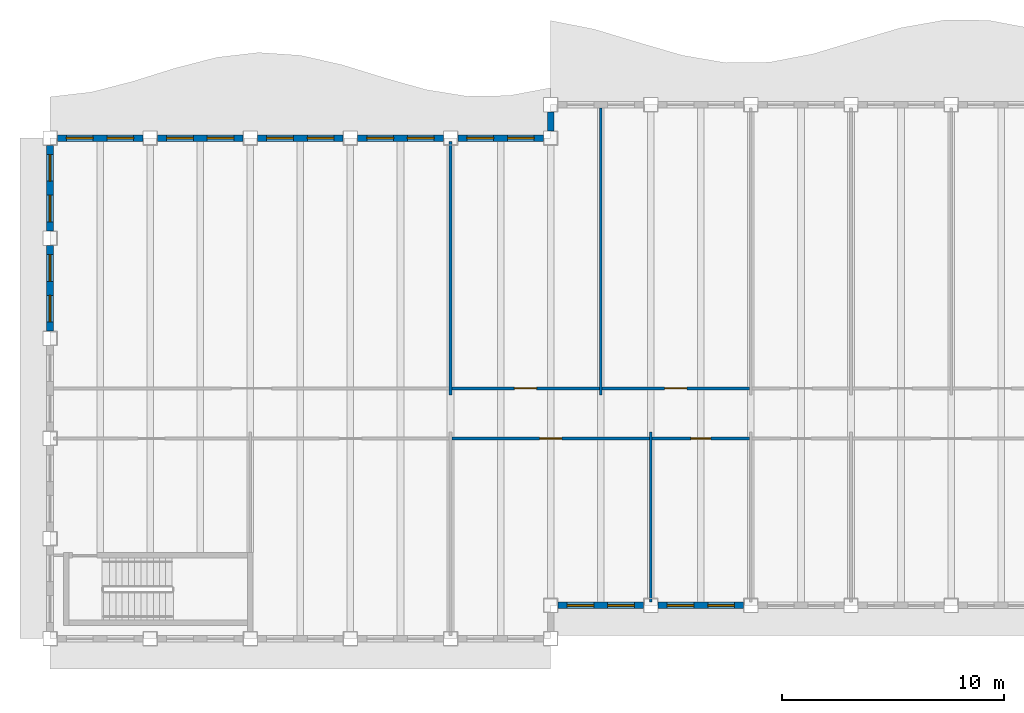
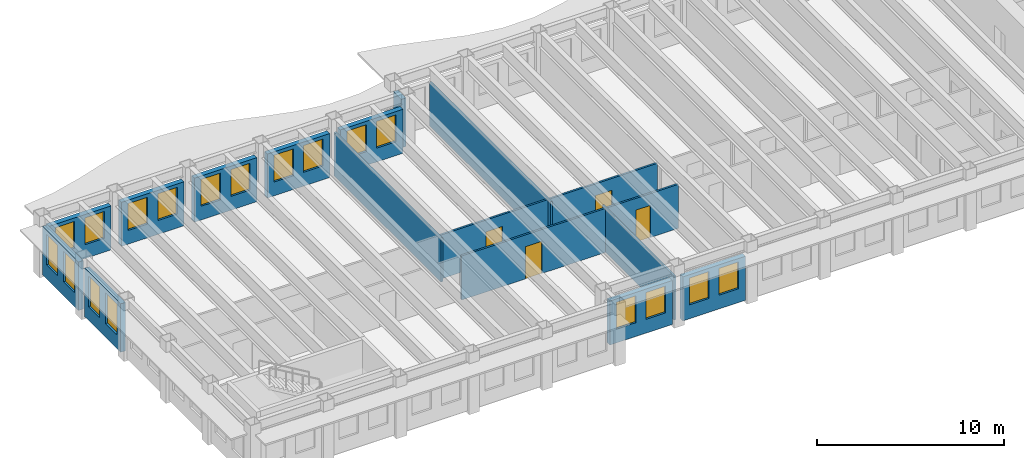
# One storey, part 3 of 12: 18 windows, 17 walls, 4 doors, 22 openings.
"""IFC4 building model written with IfcOpenShell, lengths in metres."""

import ifcopenshell
import ifcopenshell.guid

model = None  # the IFC model being written
_history = None  # IfcOwnerHistory: only IFC2X3 demands one
_inside = {}  # id of a spatial element -> (the spatial element, [elements in it])
_under = {}  # id of a project, library or spatial element -> (it, [spatial elements below it])
_declared = {}  # id of a project -> (the project, [libraries it declares])
_typed = {}  # id of a type object -> (the type object, [elements of that type])
_made_of = {}  # id of a material, layer set ... -> (it, [elements and type objects made of it])


def new_model(schema):
    """Start an empty IFC model of exactly this schema.

    Asked for "IFC4X3", IfcOpenShell would pick the latest addendum, in which some entities
    have other attributes; the version numbers below select the first issue.
    IFC2X3 requires an IfcOwnerHistory on every rooted entity: one is made here for all.
    """
    global model, _history
    if schema == "IFC4X3":
        model = ifcopenshell.file(schema_version=(4, 3, 0, 0))
    else:
        model = ifcopenshell.file(schema=schema)
    _inside.clear()
    _under.clear()
    _declared.clear()
    _typed.clear()
    _made_of.clear()
    _history = None
    if model.schema == "IFC2X3":
        org = make("IfcOrganization", Name="unknown")
        user = make(
            "IfcPersonAndOrganization",
            ThePerson=make("IfcPerson", FamilyName="unknown"),
            TheOrganization=org,
        )
        app = make(
            "IfcApplication",
            ApplicationDeveloper=org,
            Version="unknown",
            ApplicationFullName="unknown",
            ApplicationIdentifier="unknown",
        )
        _history = make(
            "IfcOwnerHistory",
            OwningUser=user,
            OwningApplication=app,
            ChangeAction="ADDED",
            CreationDate=0,
        )
    return model


def make(cls, **values):
    """One entity of the class cls with the attributes given. An attribute that is None is left unset."""
    return model.create_entity(
        cls, **{name: value for name, value in values.items() if value is not None}
    )


def rooted(cls, **values):
    """An entity with a GlobalId (a new one), such as an element, a storey or a relation."""
    return make(cls, GlobalId=ifcopenshell.guid.new(), OwnerHistory=_history, **values)


def si_unit(unit_type, name, prefix=None):
    """IfcSIUnit, for example si_unit("LENGTHUNIT", "METRE", prefix="MILLI")."""
    return make("IfcSIUnit", UnitType=unit_type, Prefix=prefix, Name=name)


def assignment(units):
    """IfcUnitAssignment: the units of a project."""
    return None if units is None else make("IfcUnitAssignment", Units=units)


def point(xyz):
    """IfcCartesianPoint."""
    return None if xyz is None else make("IfcCartesianPoint", Coordinates=xyz)


def direction(xyz):
    """IfcDirection."""
    return None if xyz is None else make("IfcDirection", DirectionRatios=xyz)


def frame(location, z_axis=None, x_axis=None):
    """IfcAxis2Placement3D, a coordinate frame: its origin and axes. An axis left out is left unset."""
    return make(
        "IfcAxis2Placement3D",
        Location=point(location),
        Axis=direction(z_axis),
        RefDirection=direction(x_axis),
    )


def frame_2d(location, x_axis=None):
    """IfcAxis2Placement2D, a coordinate frame in the plane: its origin and x axis."""
    return make(
        "IfcAxis2Placement2D", Location=point(location), RefDirection=direction(x_axis)
    )


def origin():
    """The frame at (0, 0, 0) with its axes left unset."""
    return frame((0.0, 0.0, 0.0))


def place(relative_to, where):
    """IfcLocalPlacement: puts the frame where relative to a parent placement (None: the world)."""
    return make(
        "IfcLocalPlacement", PlacementRelTo=relative_to, RelativePlacement=where
    )


def context(
    kind, dimensions, precision=None, world=None, true_north=None, identifier=None
):
    """IfcGeometricRepresentationContext, for example the 3D "Model" context."""
    return make(
        "IfcGeometricRepresentationContext",
        ContextIdentifier=identifier,
        ContextType=kind,
        CoordinateSpaceDimension=dimensions,
        Precision=precision,
        WorldCoordinateSystem=world,
        TrueNorth=true_north,
    )


def subcontext(parent, identifier, kind, view, scale=None):
    """IfcGeometricRepresentationSubContext, for example "Body" below "Model"."""
    return make(
        "IfcGeometricRepresentationSubContext",
        ContextIdentifier=identifier,
        ContextType=kind,
        ParentContext=parent,
        TargetScale=scale,
        TargetView=view,
    )


def project(units=None, contexts=None):
    """IfcProject with its units and contexts."""
    return rooted(
        "IfcProject",
        Name="project",
        RepresentationContexts=contexts,
        UnitsInContext=assignment(units),
    )


def spatial(cls, under=None, at=None, **own):
    """A site, building, storey or space (cls), placed at a placement, below another one or the project."""
    s = rooted(cls, ObjectPlacement=at, **own)
    if under is not None:
        _under.setdefault(under.id(), (under, []))[1].append(s)
    return s


def profile(cls, at=None, kind="AREA", **sizes):
    """A parametric profile (cls). Its sizes go by their IFC names, for example OverallWidth=200.0."""
    return make(cls, ProfileType=kind, Position=at, **sizes)


def rectangle(**sizes):
    """IfcRectangleProfileDef."""
    return profile("IfcRectangleProfileDef", **sizes)


def extrude(swept, where, along, depth):
    """IfcExtrudedAreaSolid: the profile swept, set in the frame where, extruded along a direction by depth."""
    return make(
        "IfcExtrudedAreaSolid",
        SweptArea=swept,
        Position=where,
        ExtrudedDirection=direction(along),
        Depth=depth,
    )


def shape(context_of_items, identifier, shape_type, items):
    """IfcShapeRepresentation: the items that make up one representation, for example the "Body"."""
    return make(
        "IfcShapeRepresentation",
        ContextOfItems=context_of_items,
        RepresentationIdentifier=identifier,
        RepresentationType=shape_type,
        Items=items,
    )


def material(Name=None, Category=None):
    """IfcMaterial."""
    return make("IfcMaterial", Name=Name, Category=Category)


def layer(
    of_material, thickness, ventilated=None, Name=None, Category=None, Priority=None
):
    """IfcMaterialLayer: one layer of a wall or slab, of a material (None: an air gap)."""
    return make(
        "IfcMaterialLayer",
        Material=of_material,
        LayerThickness=thickness,
        IsVentilated=ventilated,
        Name=Name,
        Category=Category,
        Priority=Priority,
    )


def layer_set(layers, Name=None):
    """IfcMaterialLayerSet."""
    return make("IfcMaterialLayerSet", MaterialLayers=layers, LayerSetName=Name)


def made_of(thing, what):
    """Note that an element or type object is made of a material, layer set ...; save() writes the relation."""
    if what is not None:
        _made_of.setdefault(what.id(), (what, []))[1].append(thing)
    return thing


def type_object(cls, material=None, **own):
    """A type object (cls), such as IfcWallType, which elements share."""
    return made_of(rooted(cls, **own), material)


def element(
    cls,
    number,
    at=None,
    inside=None,
    cuts=None,
    type_object=None,
    material=None,
    context=None,
    identifier="Body",
    shape_type=None,
    held_by="IfcProductDefinitionShape",
    body=None,
    shapes=None,
    **own,
):
    """One element of the class cls, such as IfcWall. Its Tag is "e" and its number.

    at: its placement. inside: the storey or other place that contains it. cuts: it is an
    opening in that element (IfcRelVoidsElement). A single representation is given by context,
    identifier, shape_type and body (its items); several are given by shapes. held_by: the class
    of the entity that holds the representations. save() writes the other relations.
    """
    e = rooted(cls, Tag="e%d" % number, ObjectPlacement=at, **own)
    if body is not None:
        shapes = [shape(context, identifier, shape_type, body)]
    if shapes is not None:
        e.Representation = make(held_by, Representations=shapes)
    if inside is not None:
        _inside.setdefault(inside.id(), (inside, []))[1].append(e)
    if cuts is not None:
        rooted(
            "IfcRelVoidsElement", RelatingBuildingElement=cuts, RelatedOpeningElement=e
        )
    if type_object is not None:
        _typed.setdefault(type_object.id(), (type_object, []))[1].append(e)
    return made_of(e, material)


def fill(opening, filler):
    """IfcRelFillsElement: the door or window that sits in an opening."""
    return rooted(
        "IfcRelFillsElement",
        RelatingOpeningElement=opening,
        RelatedBuildingElement=filler,
    )


def aggregate(whole, parts):
    """IfcRelAggregates: a whole, such as a stair, and the parts it consists of."""
    return rooted("IfcRelAggregates", RelatingObject=whole, RelatedObjects=parts)


def save(model, path):
    """Write the relations noted so far, then the file.

    IfcRelAggregates (storeys below a building ...), IfcRelContainedInSpatialStructure (elements
    in a storey), IfcRelDefinesByType, IfcRelAssociatesMaterial and IfcRelDeclares: one each for
    every whole, place, type object, material and project.
    """
    for whole, parts in _under.values():
        aggregate(whole, parts)
    for where, things in _inside.values():
        rooted(
            "IfcRelContainedInSpatialStructure",
            RelatedElements=things,
            RelatingStructure=where,
        )
    for kind, things in _typed.values():
        rooted("IfcRelDefinesByType", RelatedObjects=things, RelatingType=kind)
    for what, things in _made_of.values():
        rooted("IfcRelAssociatesMaterial", RelatedObjects=things, RelatingMaterial=what)
    for by, libraries in _declared.values():
        rooted("IfcRelDeclares", RelatingContext=by, RelatedDefinitions=libraries)
    model.write(path)


model = new_model("IFC4")

# Units and contexts
model_context = context("Model", 3, precision=1e-05, world=origin(), true_north=direction((0.0, 1.0)))
body_context = subcontext(model_context, "Body", "Model", "MODEL_VIEW")
ifc_project = project(units=[si_unit("LENGTHUNIT", "METRE"), si_unit("AREAUNIT", "SQUARE_METRE"), si_unit("VOLUMEUNIT", "CUBIC_METRE"), si_unit("PLANEANGLEUNIT", "RADIAN"), si_unit("MASSUNIT", "GRAM", prefix="KILO")], contexts=[model_context])

# Site, building, storey
site_placement = place(None, origin())
site = spatial("IfcSite", under=ifc_project, at=site_placement, CompositionType="ELEMENT")
building_placement = place(site_placement, origin())
building = spatial("IfcBuilding", under=site, at=building_placement, Name="Sennacour Bend Tower", CompositionType="ELEMENT")
storey_placement = place(building_placement, frame((0.0, 0.0, 253.0)))
storey = spatial("IfcBuildingStorey", under=building, at=storey_placement, Name="L58", CompositionType="ELEMENT", Elevation=253.0)

# Walls
ifc_material_1 = material(Name="Plasterboard partition on steel studs", Category="steel")
ifc_layer_1 = layer(ifc_material_1, 0.1201171875, Name="Plasterboard partition on steel studs", Category="steel")
ifc_layer_set_1 = layer_set([ifc_layer_1], Name="Plasterboard partition on steel studs")
wall_type_1 = type_object("IfcWallType", Name="Partition 120", PredefinedType="PARTITIONING", material=ifc_layer_set_1)
wall_1_placement = place(storey_placement, frame((18.0, 10.949951171875, 0.0), z_axis=(0.0, 0.0, 1.0), x_axis=(0.0, 1.0, 0.0)))
element("IfcWall", 1, at=wall_1_placement, inside=storey, type_object=wall_type_1, Name="P-L58-W007a", PredefinedType="PARTITIONING", context=body_context, shape_type="SweptSolid", body=[
    extrude(rectangle(XDim=11.400146484375, YDim=0.1201171875, at=frame_2d((5.7001953125, 0.0))), origin(), (0.0, 0.0, 1.0), 2.8701171875),
])
wall_2_placement = place(storey_placement, frame((24.75, 10.949951171875, 0.0), z_axis=(0.0, 0.0, 1.0), x_axis=(0.0, 1.0, 0.0)))
element("IfcWall", 2, at=wall_2_placement, inside=storey, type_object=wall_type_1, Name="P-L58-W008a", PredefinedType="PARTITIONING", context=body_context, shape_type="SweptSolid", body=[
    extrude(rectangle(XDim=12.900146484375, YDim=0.1201171875, at=frame_2d((6.4501953125, 0.0))), origin(), (0.0, 0.0, 1.0), 2.8701171875),
])
wall_3_placement = place(storey_placement, frame((27.0, 1.64990234375, 0.0), z_axis=(0.0, 0.0, 1.0), x_axis=(0.0, 1.0, 0.0)))
element("IfcWall", 3, at=wall_3_placement, inside=storey, type_object=wall_type_1, Name="P-L58-W009a", PredefinedType="PARTITIONING", context=body_context, shape_type="SweptSolid", body=[
    extrude(rectangle(XDim=7.650146484375, YDim=0.1201171875, at=frame_2d((3.8251953125, 0.0))), origin(), (0.0, 0.0, 1.0), 2.8701171875),
])

# Wall, opening, door
wall_4_placement = place(storey_placement, frame((18.06005859375, 9.0, 0.0), z_axis=(0.0, 0.0, 1.0), x_axis=(1.0, 0.0, 0.0)))
wall_4 = element("IfcWall", 4, at=wall_4_placement, inside=storey, type_object=wall_type_1, Name="P-L58-W043ac", PredefinedType="PARTITIONING", context=body_context, shape_type="SweptSolid", body=[
    extrude(rectangle(XDim=8.8798828125, YDim=0.1201171875, at=frame_2d((4.43994140625, 0.0))), origin(), (0.0, 0.0, 1.0), 2.8701171875),
])
opening_1_placement = place(wall_4_placement, frame((3.93994140625, 0.0, 0.0)))
opening_1 = element("IfcOpeningElement", 5, at=opening_1_placement, cuts=wall_4, Name="Opening OD2", PredefinedType="OPENING", context=body_context, shape_type="SweptSolid", body=[
    extrude(rectangle(XDim=1.0, YDim=2.10009765625, at=frame_2d((0.5, 1.050048828125))), frame((0.0, 0.070068359375, 0.0), z_axis=(0.0, -1.0, 0.0), x_axis=(1.0, 0.0, 0.0)), (0.0, 0.0, 1.0), 0.14013671875),
])
ifc_material_2 = material(Name="Timber", Category="wood")
door_type_1 = type_object("IfcDoorType", Name="DR-OFFICE-1000", OperationType="NOTDEFINED", PredefinedType="DOOR", material=ifc_material_2)
door_1_placement = place(opening_1_placement, origin())
door_1 = element("IfcDoor", 6, at=door_1_placement, inside=storey, type_object=door_type_1, Name="Door", OperationType="SINGLE_SWING_LEFT", OverallHeight=2.10009765625, OverallWidth=1.0, PredefinedType="DOOR", context=body_context, shape_type="SweptSolid", body=[
    extrude(rectangle(XDim=1.0, YDim=2.10009765625, at=frame_2d((0.5, 1.050048828125))), frame((0.0, 0.02490234375, 0.0), z_axis=(0.0, -1.0, 0.0), x_axis=(1.0, 0.0, 0.0)), (0.0, 0.0, 1.0), 0.050048828125),
])
fill(opening_1, door_1)

wall_5_placement = place(storey_placement, frame((18.06005859375, 11.25, 0.0), z_axis=(0.0, 0.0, 1.0), x_axis=(1.0, 0.0, 0.0)))
wall_5 = element("IfcWall", 7, at=wall_5_placement, inside=storey, type_object=wall_type_1, Name="P-L58-W046ab", PredefinedType="PARTITIONING", context=body_context, shape_type="SweptSolid", body=[
    extrude(rectangle(XDim=6.6298828125, YDim=0.1201171875, at=frame_2d((3.31494140625, 0.0))), origin(), (0.0, 0.0, 1.0), 2.8701171875),
])
opening_2_placement = place(wall_5_placement, frame((2.81494140625, 0.0, 0.0)))
opening_2 = element("IfcOpeningElement", 8, at=opening_2_placement, cuts=wall_5, Name="Opening OD2", PredefinedType="OPENING", context=body_context, shape_type="SweptSolid", body=[
    extrude(rectangle(XDim=1.0, YDim=2.10009765625, at=frame_2d((0.5, 1.050048828125))), frame((0.0, 0.070068359375, 0.0), z_axis=(0.0, -1.0, 0.0), x_axis=(1.0, 0.0, 0.0)), (0.0, 0.0, 1.0), 0.14013671875),
])
door_2_placement = place(opening_2_placement, origin())
door_2 = element("IfcDoor", 9, at=door_2_placement, inside=storey, type_object=door_type_1, Name="Door", OperationType="SINGLE_SWING_LEFT", OverallHeight=2.10009765625, OverallWidth=1.0, PredefinedType="DOOR", context=body_context, shape_type="SweptSolid", body=[
    extrude(rectangle(XDim=1.0, YDim=2.10009765625, at=frame_2d((0.5, 1.050048828125))), frame((0.0, 0.02490234375, 0.0), z_axis=(0.0, -1.0, 0.0), x_axis=(1.0, 0.0, 0.0)), (0.0, 0.0, 1.0), 0.050048828125),
])
fill(opening_2, door_2)

wall_6_placement = place(storey_placement, frame((24.81005859375, 11.25, 0.0), z_axis=(0.0, 0.0, 1.0), x_axis=(1.0, 0.0, 0.0)))
wall_6 = element("IfcWall", 10, at=wall_6_placement, inside=storey, type_object=wall_type_1, Name="P-L58-W046ac", PredefinedType="PARTITIONING", context=body_context, shape_type="SweptSolid", body=[
    extrude(rectangle(XDim=6.6298828125, YDim=0.1201171875, at=frame_2d((3.31494140625, 0.0))), origin(), (0.0, 0.0, 1.0), 2.8701171875),
])
opening_3_placement = place(wall_6_placement, frame((2.81494140625, 0.0, 0.0)))
opening_3 = element("IfcOpeningElement", 11, at=opening_3_placement, cuts=wall_6, Name="Opening OD2", PredefinedType="OPENING", context=body_context, shape_type="SweptSolid", body=[
    extrude(rectangle(XDim=1.0, YDim=2.10009765625, at=frame_2d((0.5, 1.050048828125))), frame((0.0, 0.070068359375, 0.0), z_axis=(0.0, -1.0, 0.0), x_axis=(1.0, 0.0, 0.0)), (0.0, 0.0, 1.0), 0.14013671875),
])
door_3_placement = place(opening_3_placement, origin())
door_3 = element("IfcDoor", 12, at=door_3_placement, inside=storey, type_object=door_type_1, Name="Door", OperationType="SINGLE_SWING_LEFT", OverallHeight=2.10009765625, OverallWidth=1.0, PredefinedType="DOOR", context=body_context, shape_type="SweptSolid", body=[
    extrude(rectangle(XDim=1.0, YDim=2.10009765625, at=frame_2d((0.5, 1.050048828125))), frame((0.0, 0.02490234375, 0.0), z_axis=(0.0, -1.0, 0.0), x_axis=(1.0, 0.0, 0.0)), (0.0, 0.0, 1.0), 0.050048828125),
])
fill(opening_3, door_3)

ifc_layer_2 = layer(ifc_material_1, 0.1201171875, Name="Plasterboard partition on steel studs", Category="steel")
ifc_layer_set_2 = layer_set([ifc_layer_2], Name="Plasterboard partition on steel studs")
wall_type_2 = type_object("IfcWallType", Name="Partition 120 EI 60", PredefinedType="PARTITIONING", material=ifc_layer_set_2)
wall_7_placement = place(storey_placement, frame((27.06005859375, 9.0, 0.0), z_axis=(0.0, 0.0, 1.0), x_axis=(1.0, 0.0, 0.0)))
wall_7 = element("IfcWall", 13, at=wall_7_placement, inside=storey, type_object=wall_type_2, Name="P-L58-W043ad", PredefinedType="PARTITIONING", context=body_context, shape_type="SweptSolid", body=[
    extrude(rectangle(XDim=4.3798828125, YDim=0.1201171875, at=frame_2d((2.18994140625, 0.0))), origin(), (0.0, 0.0, 1.0), 2.8701171875),
])
opening_4_placement = place(wall_7_placement, frame((1.739990234375, 0.0, 0.0)))
opening_4 = element("IfcOpeningElement", 14, at=opening_4_placement, cuts=wall_7, Name="Opening SV", PredefinedType="OPENING", context=body_context, shape_type="SweptSolid", body=[
    extrude(rectangle(XDim=0.89990234375, YDim=2.10009765625, at=frame_2d((0.449951171875, 1.050048828125))), frame((0.0, 0.070068359375, 0.0), z_axis=(0.0, -1.0, 0.0), x_axis=(1.0, 0.0, 0.0)), (0.0, 0.0, 1.0), 0.14013671875),
])
ifc_material_3 = material(Name="Painted steel", Category="steel")
door_type_2 = type_object("IfcDoorType", Name="DR-SERVICE-900", OperationType="NOTDEFINED", PredefinedType="DOOR", material=ifc_material_3)
door_4_placement = place(opening_4_placement, origin())
door_4 = element("IfcDoor", 15, at=door_4_placement, inside=storey, type_object=door_type_2, Name="Door", OperationType="SINGLE_SWING_LEFT", OverallHeight=2.10009765625, OverallWidth=0.89990234375, PredefinedType="DOOR", context=body_context, shape_type="SweptSolid", body=[
    extrude(rectangle(XDim=0.89990234375, YDim=2.10009765625, at=frame_2d((0.449951171875, 1.050048828125))), frame((0.0, 0.02490234375, 0.0), z_axis=(0.0, -1.0, 0.0), x_axis=(1.0, 0.0, 0.0)), (0.0, 0.0, 1.0), 0.050048828125),
])
fill(opening_4, door_4)

# Wall, openings, windows
ifc_material_4 = material(Name="Warm limestone cladding", Category="masonry")
ifc_layer_3 = layer(ifc_material_4, 0.050048828125, Name="Warm limestone cladding", Category="masonry")
ifc_material_5 = material(Name="Precast concrete C40/50", Category="concrete")
ifc_layer_4 = layer(ifc_material_5, 0.25, Name="Precast concrete C40/50", Category="concrete")
ifc_layer_set_3 = layer_set([ifc_layer_3, ifc_layer_4], Name="Precast concrete C40/50 with limestone cladding")
wall_type_3 = type_object("IfcWallType", Name="STONE-CLAD PRECAST SPANDREL 300", PredefinedType="STANDARD", material=ifc_layer_set_3)
wall_8_placement = place(storey_placement, frame((22.824951171875, 1.5, 0.0), z_axis=(0.0, 0.0, 1.0), x_axis=(1.0, 0.0, 0.0)))
wall_8 = element("IfcWall", 16, at=wall_8_placement, inside=storey, type_object=wall_type_3, Name="Stone spandrel and pier wall L58 01.00", PredefinedType="STANDARD", context=body_context, shape_type="SweptSolid", body=[
    extrude(rectangle(XDim=3.85009765625, YDim=0.300048828125, at=frame_2d((1.925048828125, 0.0))), origin(), (0.0, 0.0, 1.0), 2.8701171875),
])
opening_5_placement = place(wall_8_placement, frame((0.41259765625, 0.0, 0.89990234375)))
opening_5 = element("IfcOpeningElement", 17, at=opening_5_placement, cuts=wall_8, Name="Opening W16", PredefinedType="OPENING", context=body_context, shape_type="SweptSolid", body=[
    extrude(rectangle(XDim=1.199951171875, YDim=1.75, at=frame_2d((0.60009765625, 0.875))), frame((0.0, 0.16015625, 0.0), z_axis=(0.0, -1.0, 0.0), x_axis=(1.0, 0.0, 0.0)), (0.0, 0.0, 1.0), 0.320068359375),
])
opening_6_placement = place(wall_8_placement, frame((2.237548828125, 0.0, 0.89990234375)))
opening_6 = element("IfcOpeningElement", 18, at=opening_6_placement, cuts=wall_8, Name="Opening W16", PredefinedType="OPENING", context=body_context, shape_type="SweptSolid", body=[
    extrude(rectangle(XDim=1.199951171875, YDim=1.75, at=frame_2d((0.60009765625, 0.875))), frame((0.0, 0.16015625, 0.0), z_axis=(0.0, -1.0, 0.0), x_axis=(1.0, 0.0, 0.0)), (0.0, 0.0, 1.0), 0.320068359375),
])
ifc_material_6 = material(Name="Clear low-emissivity glass", Category="glass")
window_type_1 = type_object("IfcWindowType", Name="WIN-RIBBON-1200x1750", PartitioningType="SINGLE_PANEL", PredefinedType="WINDOW", material=ifc_material_6)
window_1_placement = place(opening_5_placement, origin())
window_1 = element("IfcWindow", 19, at=window_1_placement, inside=storey, type_object=window_type_1, Name="Ribbon window L58 01.00.0", OverallHeight=1.75, OverallWidth=1.199951171875, PartitioningType="SINGLE_PANEL", PredefinedType="WINDOW", context=body_context, shape_type="SweptSolid", body=[
    extrude(rectangle(XDim=1.199951171875, YDim=1.75, at=frame_2d((0.60009765625, 0.875))), frame((0.0, 0.030029296875, 0.0), z_axis=(0.0, -1.0, 0.0), x_axis=(1.0, 0.0, 0.0)), (0.0, 0.0, 1.0), 0.06005859375),
])
fill(opening_5, window_1)
window_2_placement = place(opening_6_placement, origin())
window_2 = element("IfcWindow", 20, at=window_2_placement, inside=storey, type_object=window_type_1, Name="Ribbon window L58 01.00.1", OverallHeight=1.75, OverallWidth=1.199951171875, PartitioningType="SINGLE_PANEL", PredefinedType="WINDOW", context=body_context, shape_type="SweptSolid", body=[
    extrude(rectangle(XDim=1.199951171875, YDim=1.75, at=frame_2d((0.60009765625, 0.875))), frame((0.0, 0.030029296875, 0.0), z_axis=(0.0, -1.0, 0.0), x_axis=(1.0, 0.0, 0.0)), (0.0, 0.0, 1.0), 0.06005859375),
])
fill(opening_6, window_2)

wall_9_placement = place(storey_placement, frame((27.324951171875, 1.5, 0.0), z_axis=(0.0, 0.0, 1.0), x_axis=(1.0, 0.0, 0.0)))
wall_9 = element("IfcWall", 21, at=wall_9_placement, inside=storey, type_object=wall_type_3, Name="Stone spandrel and pier wall L58 01.01", PredefinedType="STANDARD", context=body_context, shape_type="SweptSolid", body=[
    extrude(rectangle(XDim=3.85009765625, YDim=0.300048828125, at=frame_2d((1.925048828125, 0.0))), origin(), (0.0, 0.0, 1.0), 2.8701171875),
])
opening_7_placement = place(wall_9_placement, frame((0.41259765625, 0.0, 0.89990234375)))
opening_7 = element("IfcOpeningElement", 22, at=opening_7_placement, cuts=wall_9, Name="Opening W16", PredefinedType="OPENING", context=body_context, shape_type="SweptSolid", body=[
    extrude(rectangle(XDim=1.199951171875, YDim=1.75, at=frame_2d((0.60009765625, 0.875))), frame((0.0, 0.16015625, 0.0), z_axis=(0.0, -1.0, 0.0), x_axis=(1.0, 0.0, 0.0)), (0.0, 0.0, 1.0), 0.320068359375),
])
opening_8_placement = place(wall_9_placement, frame((2.237548828125, 0.0, 0.89990234375)))
opening_8 = element("IfcOpeningElement", 23, at=opening_8_placement, cuts=wall_9, Name="Opening W16", PredefinedType="OPENING", context=body_context, shape_type="SweptSolid", body=[
    extrude(rectangle(XDim=1.199951171875, YDim=1.75, at=frame_2d((0.60009765625, 0.875))), frame((0.0, 0.16015625, 0.0), z_axis=(0.0, -1.0, 0.0), x_axis=(1.0, 0.0, 0.0)), (0.0, 0.0, 1.0), 0.320068359375),
])
window_3_placement = place(opening_7_placement, origin())
window_3 = element("IfcWindow", 24, at=window_3_placement, inside=storey, type_object=window_type_1, Name="Ribbon window L58 01.01.0", OverallHeight=1.75, OverallWidth=1.199951171875, PartitioningType="SINGLE_PANEL", PredefinedType="WINDOW", context=body_context, shape_type="SweptSolid", body=[
    extrude(rectangle(XDim=1.199951171875, YDim=1.75, at=frame_2d((0.60009765625, 0.875))), frame((0.0, 0.030029296875, 0.0), z_axis=(0.0, -1.0, 0.0), x_axis=(1.0, 0.0, 0.0)), (0.0, 0.0, 1.0), 0.06005859375),
])
fill(opening_7, window_3)
window_4_placement = place(opening_8_placement, origin())
window_4 = element("IfcWindow", 25, at=window_4_placement, inside=storey, type_object=window_type_1, Name="Ribbon window L58 01.01.1", OverallHeight=1.75, OverallWidth=1.199951171875, PartitioningType="SINGLE_PANEL", PredefinedType="WINDOW", context=body_context, shape_type="SweptSolid", body=[
    extrude(rectangle(XDim=1.199951171875, YDim=1.75, at=frame_2d((0.60009765625, 0.875))), frame((0.0, 0.030029296875, 0.0), z_axis=(0.0, -1.0, 0.0), x_axis=(1.0, 0.0, 0.0)), (0.0, 0.0, 1.0), 0.06005859375),
])
fill(opening_8, window_4)

# Wall
wall_10_placement = place(storey_placement, frame((22.5, 23.675048828125, 0.0), z_axis=(0.0, 0.0, 1.0), x_axis=(0.0, -1.0, 0.0)))
element("IfcWall", 26, at=wall_10_placement, inside=storey, type_object=wall_type_3, Name="Stone spandrel and pier wall L58 08.00", PredefinedType="STANDARD", context=body_context, shape_type="SweptSolid", body=[
    extrude(rectangle(XDim=0.85009765625, YDim=0.300048828125, at=frame_2d((0.425048828125, 0.0))), origin(), (0.0, 0.0, 1.0), 3.162109375),
])

# Wall, openings, windows
wall_11_placement = place(storey_placement, frame((22.175048828125, 22.5, 0.0), z_axis=(0.0, 0.0, 1.0), x_axis=(-1.0, 0.0, 0.0)))
wall_11 = element("IfcWall", 27, at=wall_11_placement, inside=storey, type_object=wall_type_3, Name="Stone spandrel and pier wall L58 09.00", PredefinedType="STANDARD", context=body_context, shape_type="SweptSolid", body=[
    extrude(rectangle(XDim=3.85009765625, YDim=0.300048828125, at=frame_2d((1.925048828125, 0.0))), origin(), (0.0, 0.0, 1.0), 2.8701171875),
])
opening_9_placement = place(wall_11_placement, frame((0.41259765625, 0.0, 0.89990234375)))
opening_9 = element("IfcOpeningElement", 28, at=opening_9_placement, cuts=wall_11, Name="Opening W16", PredefinedType="OPENING", context=body_context, shape_type="SweptSolid", body=[
    extrude(rectangle(XDim=1.199951171875, YDim=1.75, at=frame_2d((0.60009765625, 0.875))), frame((0.0, 0.16015625, 0.0), z_axis=(0.0, -1.0, 0.0), x_axis=(1.0, 0.0, 0.0)), (0.0, 0.0, 1.0), 0.320068359375),
])
opening_10_placement = place(wall_11_placement, frame((2.237548828125, 0.0, 0.89990234375)))
opening_10 = element("IfcOpeningElement", 29, at=opening_10_placement, cuts=wall_11, Name="Opening W16", PredefinedType="OPENING", context=body_context, shape_type="SweptSolid", body=[
    extrude(rectangle(XDim=1.199951171875, YDim=1.75, at=frame_2d((0.60009765625, 0.875))), frame((0.0, 0.16015625, 0.0), z_axis=(0.0, -1.0, 0.0), x_axis=(1.0, 0.0, 0.0)), (0.0, 0.0, 1.0), 0.320068359375),
])
window_5_placement = place(opening_9_placement, origin())
window_5 = element("IfcWindow", 30, at=window_5_placement, inside=storey, type_object=window_type_1, Name="Ribbon window L58 09.00.0", OverallHeight=1.75, OverallWidth=1.199951171875, PartitioningType="SINGLE_PANEL", PredefinedType="WINDOW", context=body_context, shape_type="SweptSolid", body=[
    extrude(rectangle(XDim=1.199951171875, YDim=1.75, at=frame_2d((0.60009765625, 0.875))), frame((0.0, 0.030029296875, 0.0), z_axis=(0.0, -1.0, 0.0), x_axis=(1.0, 0.0, 0.0)), (0.0, 0.0, 1.0), 0.06005859375),
])
fill(opening_9, window_5)
window_6_placement = place(opening_10_placement, origin())
window_6 = element("IfcWindow", 31, at=window_6_placement, inside=storey, type_object=window_type_1, Name="Ribbon window L58 09.00.1", OverallHeight=1.75, OverallWidth=1.199951171875, PartitioningType="SINGLE_PANEL", PredefinedType="WINDOW", context=body_context, shape_type="SweptSolid", body=[
    extrude(rectangle(XDim=1.199951171875, YDim=1.75, at=frame_2d((0.60009765625, 0.875))), frame((0.0, 0.030029296875, 0.0), z_axis=(0.0, -1.0, 0.0), x_axis=(1.0, 0.0, 0.0)), (0.0, 0.0, 1.0), 0.06005859375),
])
fill(opening_10, window_6)

wall_12_placement = place(storey_placement, frame((17.675048828125, 22.5, 0.0), z_axis=(0.0, 0.0, 1.0), x_axis=(-1.0, 0.0, 0.0)))
wall_12 = element("IfcWall", 32, at=wall_12_placement, inside=storey, type_object=wall_type_3, Name="Stone spandrel and pier wall L58 09.01", PredefinedType="STANDARD", context=body_context, shape_type="SweptSolid", body=[
    extrude(rectangle(XDim=3.85009765625, YDim=0.300048828125, at=frame_2d((1.925048828125, 0.0))), origin(), (0.0, 0.0, 1.0), 2.8701171875),
])
opening_11_placement = place(wall_12_placement, frame((0.41259765625, 0.0, 0.89990234375)))
opening_11 = element("IfcOpeningElement", 33, at=opening_11_placement, cuts=wall_12, Name="Opening W16", PredefinedType="OPENING", context=body_context, shape_type="SweptSolid", body=[
    extrude(rectangle(XDim=1.199951171875, YDim=1.75, at=frame_2d((0.60009765625, 0.875))), frame((0.0, 0.16015625, 0.0), z_axis=(0.0, -1.0, 0.0), x_axis=(1.0, 0.0, 0.0)), (0.0, 0.0, 1.0), 0.320068359375),
])
opening_12_placement = place(wall_12_placement, frame((2.237548828125, 0.0, 0.89990234375)))
opening_12 = element("IfcOpeningElement", 34, at=opening_12_placement, cuts=wall_12, Name="Opening W16", PredefinedType="OPENING", context=body_context, shape_type="SweptSolid", body=[
    extrude(rectangle(XDim=1.199951171875, YDim=1.75, at=frame_2d((0.60009765625, 0.875))), frame((0.0, 0.16015625, 0.0), z_axis=(0.0, -1.0, 0.0), x_axis=(1.0, 0.0, 0.0)), (0.0, 0.0, 1.0), 0.320068359375),
])
window_7_placement = place(opening_11_placement, origin())
window_7 = element("IfcWindow", 35, at=window_7_placement, inside=storey, type_object=window_type_1, Name="Ribbon window L58 09.01.0", OverallHeight=1.75, OverallWidth=1.199951171875, PartitioningType="SINGLE_PANEL", PredefinedType="WINDOW", context=body_context, shape_type="SweptSolid", body=[
    extrude(rectangle(XDim=1.199951171875, YDim=1.75, at=frame_2d((0.60009765625, 0.875))), frame((0.0, 0.030029296875, 0.0), z_axis=(0.0, -1.0, 0.0), x_axis=(1.0, 0.0, 0.0)), (0.0, 0.0, 1.0), 0.06005859375),
])
fill(opening_11, window_7)
window_8_placement = place(opening_12_placement, origin())
window_8 = element("IfcWindow", 36, at=window_8_placement, inside=storey, type_object=window_type_1, Name="Ribbon window L58 09.01.1", OverallHeight=1.75, OverallWidth=1.199951171875, PartitioningType="SINGLE_PANEL", PredefinedType="WINDOW", context=body_context, shape_type="SweptSolid", body=[
    extrude(rectangle(XDim=1.199951171875, YDim=1.75, at=frame_2d((0.60009765625, 0.875))), frame((0.0, 0.030029296875, 0.0), z_axis=(0.0, -1.0, 0.0), x_axis=(1.0, 0.0, 0.0)), (0.0, 0.0, 1.0), 0.06005859375),
])
fill(opening_12, window_8)

wall_13_placement = place(storey_placement, frame((13.175048828125, 22.5, 0.0), z_axis=(0.0, 0.0, 1.0), x_axis=(-1.0, 0.0, 0.0)))
wall_13 = element("IfcWall", 37, at=wall_13_placement, inside=storey, type_object=wall_type_3, Name="Stone spandrel and pier wall L58 09.02", PredefinedType="STANDARD", context=body_context, shape_type="SweptSolid", body=[
    extrude(rectangle(XDim=3.85009765625, YDim=0.300048828125, at=frame_2d((1.925048828125, 0.0))), origin(), (0.0, 0.0, 1.0), 2.8701171875),
])
opening_13_placement = place(wall_13_placement, frame((0.41259765625, 0.0, 0.89990234375)))
opening_13 = element("IfcOpeningElement", 38, at=opening_13_placement, cuts=wall_13, Name="Opening W16", PredefinedType="OPENING", context=body_context, shape_type="SweptSolid", body=[
    extrude(rectangle(XDim=1.199951171875, YDim=1.75, at=frame_2d((0.60009765625, 0.875))), frame((0.0, 0.16015625, 0.0), z_axis=(0.0, -1.0, 0.0), x_axis=(1.0, 0.0, 0.0)), (0.0, 0.0, 1.0), 0.320068359375),
])
opening_14_placement = place(wall_13_placement, frame((2.237548828125, 0.0, 0.89990234375)))
opening_14 = element("IfcOpeningElement", 39, at=opening_14_placement, cuts=wall_13, Name="Opening W16", PredefinedType="OPENING", context=body_context, shape_type="SweptSolid", body=[
    extrude(rectangle(XDim=1.199951171875, YDim=1.75, at=frame_2d((0.60009765625, 0.875))), frame((0.0, 0.16015625, 0.0), z_axis=(0.0, -1.0, 0.0), x_axis=(1.0, 0.0, 0.0)), (0.0, 0.0, 1.0), 0.320068359375),
])
window_9_placement = place(opening_13_placement, origin())
window_9 = element("IfcWindow", 40, at=window_9_placement, inside=storey, type_object=window_type_1, Name="Ribbon window L58 09.02.0", OverallHeight=1.75, OverallWidth=1.199951171875, PartitioningType="SINGLE_PANEL", PredefinedType="WINDOW", context=body_context, shape_type="SweptSolid", body=[
    extrude(rectangle(XDim=1.199951171875, YDim=1.75, at=frame_2d((0.60009765625, 0.875))), frame((0.0, 0.030029296875, 0.0), z_axis=(0.0, -1.0, 0.0), x_axis=(1.0, 0.0, 0.0)), (0.0, 0.0, 1.0), 0.06005859375),
])
fill(opening_13, window_9)
window_10_placement = place(opening_14_placement, origin())
window_10 = element("IfcWindow", 41, at=window_10_placement, inside=storey, type_object=window_type_1, Name="Ribbon window L58 09.02.1", OverallHeight=1.75, OverallWidth=1.199951171875, PartitioningType="SINGLE_PANEL", PredefinedType="WINDOW", context=body_context, shape_type="SweptSolid", body=[
    extrude(rectangle(XDim=1.199951171875, YDim=1.75, at=frame_2d((0.60009765625, 0.875))), frame((0.0, 0.030029296875, 0.0), z_axis=(0.0, -1.0, 0.0), x_axis=(1.0, 0.0, 0.0)), (0.0, 0.0, 1.0), 0.06005859375),
])
fill(opening_14, window_10)

wall_14_placement = place(storey_placement, frame((8.675048828125, 22.5, 0.0), z_axis=(0.0, 0.0, 1.0), x_axis=(-1.0, 0.0, 0.0)))
wall_14 = element("IfcWall", 42, at=wall_14_placement, inside=storey, type_object=wall_type_3, Name="Stone spandrel and pier wall L58 09.03", PredefinedType="STANDARD", context=body_context, shape_type="SweptSolid", body=[
    extrude(rectangle(XDim=3.85009765625, YDim=0.300048828125, at=frame_2d((1.925048828125, 0.0))), origin(), (0.0, 0.0, 1.0), 2.8701171875),
])
opening_15_placement = place(wall_14_placement, frame((0.41259765625, 0.0, 0.89990234375)))
opening_15 = element("IfcOpeningElement", 43, at=opening_15_placement, cuts=wall_14, Name="Opening W16", PredefinedType="OPENING", context=body_context, shape_type="SweptSolid", body=[
    extrude(rectangle(XDim=1.199951171875, YDim=1.75, at=frame_2d((0.60009765625, 0.875))), frame((0.0, 0.16015625, 0.0), z_axis=(0.0, -1.0, 0.0), x_axis=(1.0, 0.0, 0.0)), (0.0, 0.0, 1.0), 0.320068359375),
])
opening_16_placement = place(wall_14_placement, frame((2.237548828125, 0.0, 0.89990234375)))
opening_16 = element("IfcOpeningElement", 44, at=opening_16_placement, cuts=wall_14, Name="Opening W16", PredefinedType="OPENING", context=body_context, shape_type="SweptSolid", body=[
    extrude(rectangle(XDim=1.199951171875, YDim=1.75, at=frame_2d((0.60009765625, 0.875))), frame((0.0, 0.16015625, 0.0), z_axis=(0.0, -1.0, 0.0), x_axis=(1.0, 0.0, 0.0)), (0.0, 0.0, 1.0), 0.320068359375),
])
window_11_placement = place(opening_15_placement, origin())
window_11 = element("IfcWindow", 45, at=window_11_placement, inside=storey, type_object=window_type_1, Name="Ribbon window L58 09.03.0", OverallHeight=1.75, OverallWidth=1.199951171875, PartitioningType="SINGLE_PANEL", PredefinedType="WINDOW", context=body_context, shape_type="SweptSolid", body=[
    extrude(rectangle(XDim=1.199951171875, YDim=1.75, at=frame_2d((0.60009765625, 0.875))), frame((0.0, 0.030029296875, 0.0), z_axis=(0.0, -1.0, 0.0), x_axis=(1.0, 0.0, 0.0)), (0.0, 0.0, 1.0), 0.06005859375),
])
fill(opening_15, window_11)
window_12_placement = place(opening_16_placement, origin())
window_12 = element("IfcWindow", 46, at=window_12_placement, inside=storey, type_object=window_type_1, Name="Ribbon window L58 09.03.1", OverallHeight=1.75, OverallWidth=1.199951171875, PartitioningType="SINGLE_PANEL", PredefinedType="WINDOW", context=body_context, shape_type="SweptSolid", body=[
    extrude(rectangle(XDim=1.199951171875, YDim=1.75, at=frame_2d((0.60009765625, 0.875))), frame((0.0, 0.030029296875, 0.0), z_axis=(0.0, -1.0, 0.0), x_axis=(1.0, 0.0, 0.0)), (0.0, 0.0, 1.0), 0.06005859375),
])
fill(opening_16, window_12)

wall_15_placement = place(storey_placement, frame((4.175048828125, 22.5, 0.0), z_axis=(0.0, 0.0, 1.0), x_axis=(-1.0, 0.0, 0.0)))
wall_15 = element("IfcWall", 47, at=wall_15_placement, inside=storey, type_object=wall_type_3, Name="Stone spandrel and pier wall L58 09.04", PredefinedType="STANDARD", context=body_context, shape_type="SweptSolid", body=[
    extrude(rectangle(XDim=3.85009765625, YDim=0.300048828125, at=frame_2d((1.925048828125, 0.0))), origin(), (0.0, 0.0, 1.0), 2.8701171875),
])
opening_17_placement = place(wall_15_placement, frame((0.41259765625, 0.0, 0.89990234375)))
opening_17 = element("IfcOpeningElement", 48, at=opening_17_placement, cuts=wall_15, Name="Opening W16", PredefinedType="OPENING", context=body_context, shape_type="SweptSolid", body=[
    extrude(rectangle(XDim=1.199951171875, YDim=1.75, at=frame_2d((0.60009765625, 0.875))), frame((0.0, 0.16015625, 0.0), z_axis=(0.0, -1.0, 0.0), x_axis=(1.0, 0.0, 0.0)), (0.0, 0.0, 1.0), 0.320068359375),
])
opening_18_placement = place(wall_15_placement, frame((2.237548828125, 0.0, 0.89990234375)))
opening_18 = element("IfcOpeningElement", 49, at=opening_18_placement, cuts=wall_15, Name="Opening W16", PredefinedType="OPENING", context=body_context, shape_type="SweptSolid", body=[
    extrude(rectangle(XDim=1.199951171875, YDim=1.75, at=frame_2d((0.60009765625, 0.875))), frame((0.0, 0.16015625, 0.0), z_axis=(0.0, -1.0, 0.0), x_axis=(1.0, 0.0, 0.0)), (0.0, 0.0, 1.0), 0.320068359375),
])
window_13_placement = place(opening_17_placement, origin())
window_13 = element("IfcWindow", 50, at=window_13_placement, inside=storey, type_object=window_type_1, Name="Ribbon window L58 09.04.0", OverallHeight=1.75, OverallWidth=1.199951171875, PartitioningType="SINGLE_PANEL", PredefinedType="WINDOW", context=body_context, shape_type="SweptSolid", body=[
    extrude(rectangle(XDim=1.199951171875, YDim=1.75, at=frame_2d((0.60009765625, 0.875))), frame((0.0, 0.030029296875, 0.0), z_axis=(0.0, -1.0, 0.0), x_axis=(1.0, 0.0, 0.0)), (0.0, 0.0, 1.0), 0.06005859375),
])
fill(opening_17, window_13)
window_14_placement = place(opening_18_placement, origin())
window_14 = element("IfcWindow", 51, at=window_14_placement, inside=storey, type_object=window_type_1, Name="Ribbon window L58 09.04.1", OverallHeight=1.75, OverallWidth=1.199951171875, PartitioningType="SINGLE_PANEL", PredefinedType="WINDOW", context=body_context, shape_type="SweptSolid", body=[
    extrude(rectangle(XDim=1.199951171875, YDim=1.75, at=frame_2d((0.60009765625, 0.875))), frame((0.0, 0.030029296875, 0.0), z_axis=(0.0, -1.0, 0.0), x_axis=(1.0, 0.0, 0.0)), (0.0, 0.0, 1.0), 0.06005859375),
])
fill(opening_18, window_14)

wall_16_placement = place(storey_placement, frame((0.0, 22.175048828125, 0.0), z_axis=(0.0, 0.0, 1.0), x_axis=(0.0, -1.0, 0.0)))
wall_16 = element("IfcWall", 52, at=wall_16_placement, inside=storey, type_object=wall_type_3, Name="Stone spandrel and pier wall L58 10.00", PredefinedType="STANDARD", context=body_context, shape_type="SweptSolid", body=[
    extrude(rectangle(XDim=3.85009765625, YDim=0.300048828125, at=frame_2d((1.925048828125, 0.0))), origin(), (0.0, 0.0, 1.0), 3.162109375),
])
opening_19_placement = place(wall_16_placement, frame((0.41259765625, 0.0, 0.89990234375)))
opening_19 = element("IfcOpeningElement", 53, at=opening_19_placement, cuts=wall_16, Name="Opening W14", PredefinedType="OPENING", context=body_context, shape_type="SweptSolid", body=[
    extrude(rectangle(XDim=1.199951171875, YDim=2.0, at=frame_2d((0.60009765625, 1.0))), frame((0.0, 0.16015625, 0.0), z_axis=(0.0, -1.0, 0.0), x_axis=(1.0, 0.0, 0.0)), (0.0, 0.0, 1.0), 0.320068359375),
])
opening_20_placement = place(wall_16_placement, frame((2.237548828125, 0.0, 0.89990234375)))
opening_20 = element("IfcOpeningElement", 54, at=opening_20_placement, cuts=wall_16, Name="Opening W14", PredefinedType="OPENING", context=body_context, shape_type="SweptSolid", body=[
    extrude(rectangle(XDim=1.199951171875, YDim=2.0, at=frame_2d((0.60009765625, 1.0))), frame((0.0, 0.16015625, 0.0), z_axis=(0.0, -1.0, 0.0), x_axis=(1.0, 0.0, 0.0)), (0.0, 0.0, 1.0), 0.320068359375),
])
window_type_2 = type_object("IfcWindowType", Name="WIN-RIBBON-1200x2000", PartitioningType="SINGLE_PANEL", PredefinedType="WINDOW", material=ifc_material_6)
window_15_placement = place(opening_19_placement, origin())
window_15 = element("IfcWindow", 55, at=window_15_placement, inside=storey, type_object=window_type_2, Name="Ribbon window L58 10.00.0", OverallHeight=2.0, OverallWidth=1.199951171875, PartitioningType="SINGLE_PANEL", PredefinedType="WINDOW", context=body_context, shape_type="SweptSolid", body=[
    extrude(rectangle(XDim=1.199951171875, YDim=2.0, at=frame_2d((0.60009765625, 1.0))), frame((0.0, 0.030029296875, 0.0), z_axis=(0.0, -1.0, 0.0), x_axis=(1.0, 0.0, 0.0)), (0.0, 0.0, 1.0), 0.06005859375),
])
fill(opening_19, window_15)
window_16_placement = place(opening_20_placement, origin())
window_16 = element("IfcWindow", 56, at=window_16_placement, inside=storey, type_object=window_type_2, Name="Ribbon window L58 10.00.1", OverallHeight=2.0, OverallWidth=1.199951171875, PartitioningType="SINGLE_PANEL", PredefinedType="WINDOW", context=body_context, shape_type="SweptSolid", body=[
    extrude(rectangle(XDim=1.199951171875, YDim=2.0, at=frame_2d((0.60009765625, 1.0))), frame((0.0, 0.030029296875, 0.0), z_axis=(0.0, -1.0, 0.0), x_axis=(1.0, 0.0, 0.0)), (0.0, 0.0, 1.0), 0.06005859375),
])
fill(opening_20, window_16)

wall_17_placement = place(storey_placement, frame((0.0, 17.675048828125, 0.0), z_axis=(0.0, 0.0, 1.0), x_axis=(0.0, -1.0, 0.0)))
wall_17 = element("IfcWall", 57, at=wall_17_placement, inside=storey, type_object=wall_type_3, Name="Stone spandrel and pier wall L58 10.01", PredefinedType="STANDARD", context=body_context, shape_type="SweptSolid", body=[
    extrude(rectangle(XDim=3.85009765625, YDim=0.300048828125, at=frame_2d((1.925048828125, 0.0))), origin(), (0.0, 0.0, 1.0), 3.162109375),
])
opening_21_placement = place(wall_17_placement, frame((0.41259765625, 0.0, 0.89990234375)))
opening_21 = element("IfcOpeningElement", 58, at=opening_21_placement, cuts=wall_17, Name="Opening W14", PredefinedType="OPENING", context=body_context, shape_type="SweptSolid", body=[
    extrude(rectangle(XDim=1.199951171875, YDim=2.0, at=frame_2d((0.60009765625, 1.0))), frame((0.0, 0.16015625, 0.0), z_axis=(0.0, -1.0, 0.0), x_axis=(1.0, 0.0, 0.0)), (0.0, 0.0, 1.0), 0.320068359375),
])
opening_22_placement = place(wall_17_placement, frame((2.237548828125, 0.0, 0.89990234375)))
opening_22 = element("IfcOpeningElement", 59, at=opening_22_placement, cuts=wall_17, Name="Opening W14", PredefinedType="OPENING", context=body_context, shape_type="SweptSolid", body=[
    extrude(rectangle(XDim=1.199951171875, YDim=2.0, at=frame_2d((0.60009765625, 1.0))), frame((0.0, 0.16015625, 0.0), z_axis=(0.0, -1.0, 0.0), x_axis=(1.0, 0.0, 0.0)), (0.0, 0.0, 1.0), 0.320068359375),
])
window_17_placement = place(opening_21_placement, origin())
window_17 = element("IfcWindow", 60, at=window_17_placement, inside=storey, type_object=window_type_2, Name="Ribbon window L58 10.01.0", OverallHeight=2.0, OverallWidth=1.199951171875, PartitioningType="SINGLE_PANEL", PredefinedType="WINDOW", context=body_context, shape_type="SweptSolid", body=[
    extrude(rectangle(XDim=1.199951171875, YDim=2.0, at=frame_2d((0.60009765625, 1.0))), frame((0.0, 0.030029296875, 0.0), z_axis=(0.0, -1.0, 0.0), x_axis=(1.0, 0.0, 0.0)), (0.0, 0.0, 1.0), 0.06005859375),
])
fill(opening_21, window_17)
window_18_placement = place(opening_22_placement, origin())
window_18 = element("IfcWindow", 61, at=window_18_placement, inside=storey, type_object=window_type_2, Name="Ribbon window L58 10.01.1", OverallHeight=2.0, OverallWidth=1.199951171875, PartitioningType="SINGLE_PANEL", PredefinedType="WINDOW", context=body_context, shape_type="SweptSolid", body=[
    extrude(rectangle(XDim=1.199951171875, YDim=2.0, at=frame_2d((0.60009765625, 1.0))), frame((0.0, 0.030029296875, 0.0), z_axis=(0.0, -1.0, 0.0), x_axis=(1.0, 0.0, 0.0)), (0.0, 0.0, 1.0), 0.06005859375),
])
fill(opening_22, window_18)

save(model, "model.ifc")
